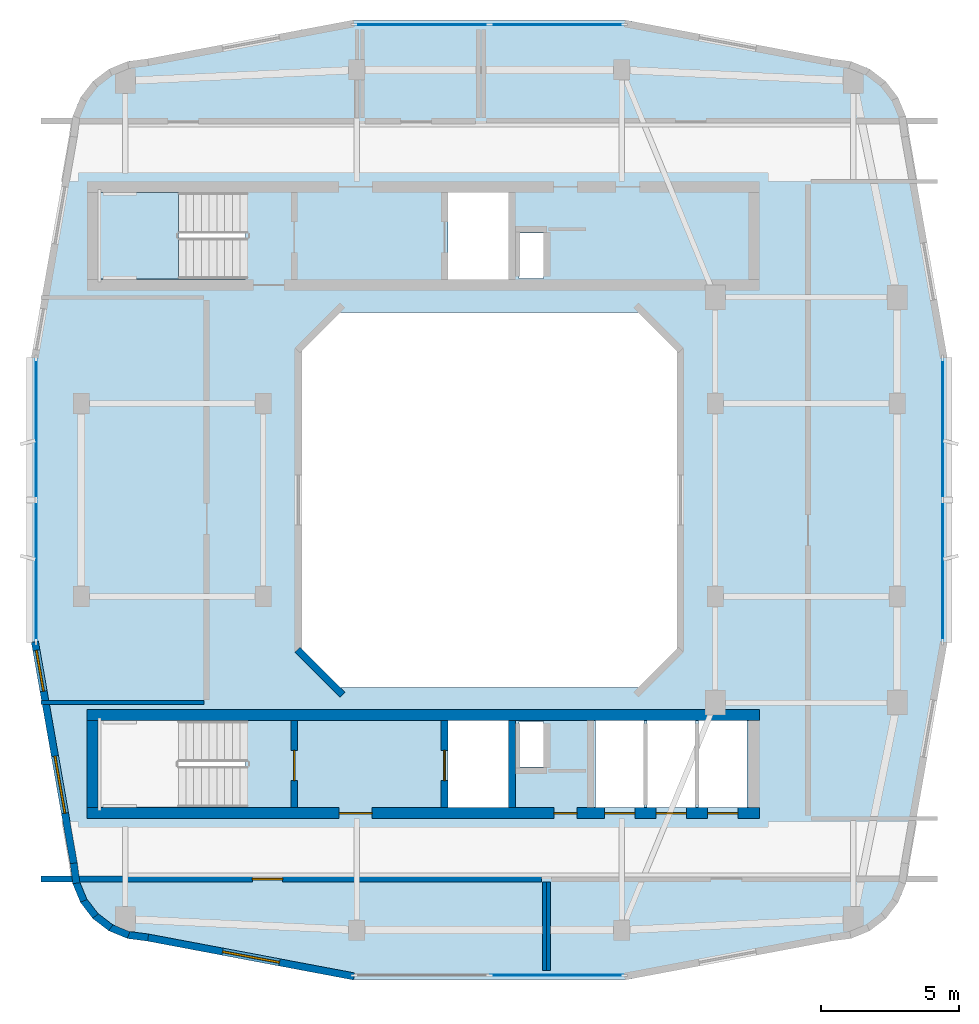
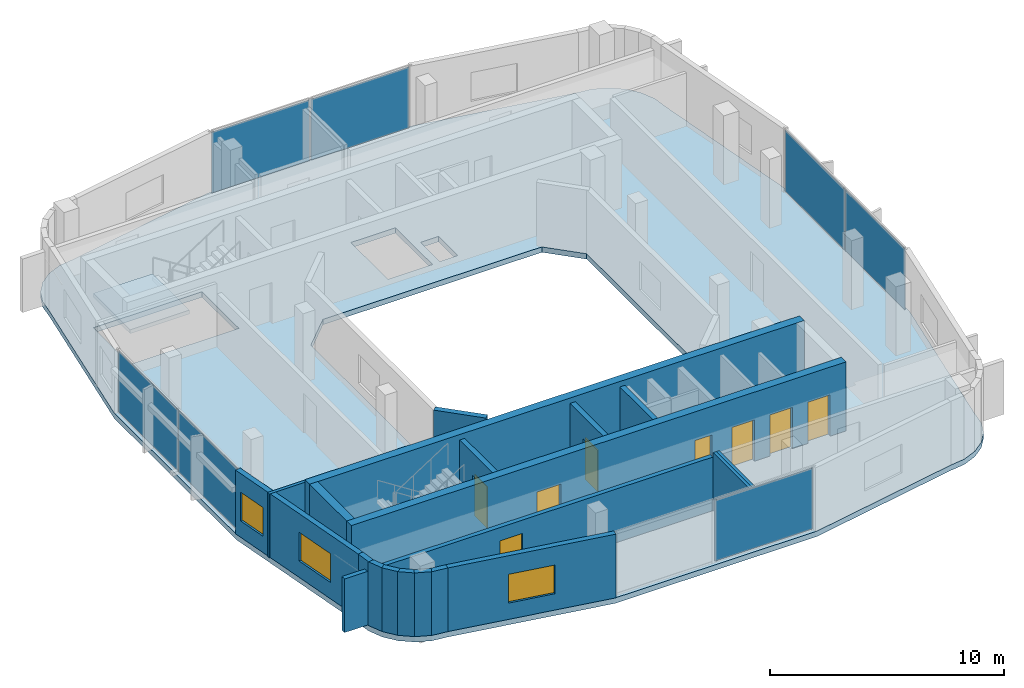
# One storey, part 3 of 8: 19 walls, 8 doors, 7 plates, 3 windows, 2 slabs, 11 openings, 5 elements without a shape of their own.
"""IFC4 building model written with IfcOpenShell, lengths in metres."""

import ifcopenshell
import ifcopenshell.guid

model = None  # the IFC model being written
_history = None  # IfcOwnerHistory: only IFC2X3 demands one
_inside = {}  # id of a spatial element -> (the spatial element, [elements in it])
_under = {}  # id of a project, library or spatial element -> (it, [spatial elements below it])
_declared = {}  # id of a project -> (the project, [libraries it declares])
_typed = {}  # id of a type object -> (the type object, [elements of that type])
_made_of = {}  # id of a material, layer set ... -> (it, [elements and type objects made of it])


def new_model(schema):
    """Start an empty IFC model of exactly this schema.

    Asked for "IFC4X3", IfcOpenShell would pick the latest addendum, in which some entities
    have other attributes; the version numbers below select the first issue.
    IFC2X3 requires an IfcOwnerHistory on every rooted entity: one is made here for all.
    """
    global model, _history
    if schema == "IFC4X3":
        model = ifcopenshell.file(schema_version=(4, 3, 0, 0))
    else:
        model = ifcopenshell.file(schema=schema)
    _inside.clear()
    _under.clear()
    _declared.clear()
    _typed.clear()
    _made_of.clear()
    _history = None
    if model.schema == "IFC2X3":
        org = make("IfcOrganization", Name="unknown")
        user = make(
            "IfcPersonAndOrganization",
            ThePerson=make("IfcPerson", FamilyName="unknown"),
            TheOrganization=org,
        )
        app = make(
            "IfcApplication",
            ApplicationDeveloper=org,
            Version="unknown",
            ApplicationFullName="unknown",
            ApplicationIdentifier="unknown",
        )
        _history = make(
            "IfcOwnerHistory",
            OwningUser=user,
            OwningApplication=app,
            ChangeAction="ADDED",
            CreationDate=0,
        )
    return model


def make(cls, **values):
    """One entity of the class cls with the attributes given. An attribute that is None is left unset."""
    return model.create_entity(
        cls, **{name: value for name, value in values.items() if value is not None}
    )


def rooted(cls, **values):
    """An entity with a GlobalId (a new one), such as an element, a storey or a relation."""
    return make(cls, GlobalId=ifcopenshell.guid.new(), OwnerHistory=_history, **values)


def si_unit(unit_type, name, prefix=None):
    """IfcSIUnit, for example si_unit("LENGTHUNIT", "METRE", prefix="MILLI")."""
    return make("IfcSIUnit", UnitType=unit_type, Prefix=prefix, Name=name)


def derived_unit(unit_type, elements):
    """IfcDerivedUnit: a product of units, each with its exponent."""
    return make(
        "IfcDerivedUnit",
        Elements=[
            make("IfcDerivedUnitElement", Unit=unit, Exponent=power)
            for unit, power in elements
        ],
        UnitType=unit_type,
    )


def assignment(units):
    """IfcUnitAssignment: the units of a project."""
    return None if units is None else make("IfcUnitAssignment", Units=units)


def point(xyz):
    """IfcCartesianPoint."""
    return None if xyz is None else make("IfcCartesianPoint", Coordinates=xyz)


def direction(xyz):
    """IfcDirection."""
    return None if xyz is None else make("IfcDirection", DirectionRatios=xyz)


def frame(location, z_axis=None, x_axis=None):
    """IfcAxis2Placement3D, a coordinate frame: its origin and axes. An axis left out is left unset."""
    return make(
        "IfcAxis2Placement3D",
        Location=point(location),
        Axis=direction(z_axis),
        RefDirection=direction(x_axis),
    )


def frame_2d(location, x_axis=None):
    """IfcAxis2Placement2D, a coordinate frame in the plane: its origin and x axis."""
    return make(
        "IfcAxis2Placement2D", Location=point(location), RefDirection=direction(x_axis)
    )


def origin():
    """The frame at (0, 0, 0) with its axes left unset."""
    return frame((0.0, 0.0, 0.0))


def origin_2d():
    """The frame at (0, 0) in the plane with its x axis left unset."""
    return frame_2d((0.0, 0.0))


def place(relative_to, where):
    """IfcLocalPlacement: puts the frame where relative to a parent placement (None: the world)."""
    return make(
        "IfcLocalPlacement", PlacementRelTo=relative_to, RelativePlacement=where
    )


def context(
    kind, dimensions, precision=None, world=None, true_north=None, identifier=None
):
    """IfcGeometricRepresentationContext, for example the 3D "Model" context."""
    return make(
        "IfcGeometricRepresentationContext",
        ContextIdentifier=identifier,
        ContextType=kind,
        CoordinateSpaceDimension=dimensions,
        Precision=precision,
        WorldCoordinateSystem=world,
        TrueNorth=true_north,
    )


def subcontext(parent, identifier, kind, view, scale=None):
    """IfcGeometricRepresentationSubContext, for example "Body" below "Model"."""
    return make(
        "IfcGeometricRepresentationSubContext",
        ContextIdentifier=identifier,
        ContextType=kind,
        ParentContext=parent,
        TargetScale=scale,
        TargetView=view,
    )


def project(units=None, contexts=None):
    """IfcProject with its units and contexts."""
    return rooted(
        "IfcProject",
        Name="project",
        RepresentationContexts=contexts,
        UnitsInContext=assignment(units),
    )


def spatial(cls, under=None, at=None, **own):
    """A site, building, storey or space (cls), placed at a placement, below another one or the project."""
    s = rooted(cls, ObjectPlacement=at, **own)
    if under is not None:
        _under.setdefault(under.id(), (under, []))[1].append(s)
    return s


def polyline(points):
    """IfcPolyline through the points."""
    return make("IfcPolyline", Points=[point(p) for p in points])


def profile(cls, at=None, kind="AREA", **sizes):
    """A parametric profile (cls). Its sizes go by their IFC names, for example OverallWidth=200.0."""
    return make(cls, ProfileType=kind, Position=at, **sizes)


def rectangle(**sizes):
    """IfcRectangleProfileDef."""
    return profile("IfcRectangleProfileDef", **sizes)


def outline(outer, holes=None, kind="AREA"):
    """IfcArbitraryClosedProfileDef: a profile drawn as a closed curve; with holes, ...WithVoids."""
    if holes is None:
        return make("IfcArbitraryClosedProfileDef", ProfileType=kind, OuterCurve=outer)
    return make(
        "IfcArbitraryProfileDefWithVoids",
        ProfileType=kind,
        OuterCurve=outer,
        InnerCurves=holes,
    )


def extrude(swept, where, along, depth):
    """IfcExtrudedAreaSolid: the profile swept, set in the frame where, extruded along a direction by depth."""
    return make(
        "IfcExtrudedAreaSolid",
        SweptArea=swept,
        Position=where,
        ExtrudedDirection=direction(along),
        Depth=depth,
    )


def shape(context_of_items, identifier, shape_type, items):
    """IfcShapeRepresentation: the items that make up one representation, for example the "Body"."""
    return make(
        "IfcShapeRepresentation",
        ContextOfItems=context_of_items,
        RepresentationIdentifier=identifier,
        RepresentationType=shape_type,
        Items=items,
    )


def material(Name=None, Category=None):
    """IfcMaterial."""
    return make("IfcMaterial", Name=Name, Category=Category)


def layer(
    of_material, thickness, ventilated=None, Name=None, Category=None, Priority=None
):
    """IfcMaterialLayer: one layer of a wall or slab, of a material (None: an air gap)."""
    return make(
        "IfcMaterialLayer",
        Material=of_material,
        LayerThickness=thickness,
        IsVentilated=ventilated,
        Name=Name,
        Category=Category,
        Priority=Priority,
    )


def layer_set(layers, Name=None):
    """IfcMaterialLayerSet."""
    return make("IfcMaterialLayerSet", MaterialLayers=layers, LayerSetName=Name)


def made_of(thing, what):
    """Note that an element or type object is made of a material, layer set ...; save() writes the relation."""
    if what is not None:
        _made_of.setdefault(what.id(), (what, []))[1].append(thing)
    return thing


def type_object(cls, material=None, **own):
    """A type object (cls), such as IfcWallType, which elements share."""
    return made_of(rooted(cls, **own), material)


def element(
    cls,
    number,
    at=None,
    inside=None,
    cuts=None,
    type_object=None,
    material=None,
    context=None,
    identifier="Body",
    shape_type=None,
    held_by="IfcProductDefinitionShape",
    body=None,
    shapes=None,
    **own,
):
    """One element of the class cls, such as IfcWall. Its Tag is "e" and its number.

    at: its placement. inside: the storey or other place that contains it. cuts: it is an
    opening in that element (IfcRelVoidsElement). A single representation is given by context,
    identifier, shape_type and body (its items); several are given by shapes. held_by: the class
    of the entity that holds the representations. save() writes the other relations.
    """
    e = rooted(cls, Tag="e%d" % number, ObjectPlacement=at, **own)
    if body is not None:
        shapes = [shape(context, identifier, shape_type, body)]
    if shapes is not None:
        e.Representation = make(held_by, Representations=shapes)
    if inside is not None:
        _inside.setdefault(inside.id(), (inside, []))[1].append(e)
    if cuts is not None:
        rooted(
            "IfcRelVoidsElement", RelatingBuildingElement=cuts, RelatedOpeningElement=e
        )
    if type_object is not None:
        _typed.setdefault(type_object.id(), (type_object, []))[1].append(e)
    return made_of(e, material)


def fill(opening, filler):
    """IfcRelFillsElement: the door or window that sits in an opening."""
    return rooted(
        "IfcRelFillsElement",
        RelatingOpeningElement=opening,
        RelatedBuildingElement=filler,
    )


def aggregate(whole, parts):
    """IfcRelAggregates: a whole, such as a stair, and the parts it consists of."""
    return rooted("IfcRelAggregates", RelatingObject=whole, RelatedObjects=parts)


def save(model, path):
    """Write the relations noted so far, then the file.

    IfcRelAggregates (storeys below a building ...), IfcRelContainedInSpatialStructure (elements
    in a storey), IfcRelDefinesByType, IfcRelAssociatesMaterial and IfcRelDeclares: one each for
    every whole, place, type object, material and project.
    """
    for whole, parts in _under.values():
        aggregate(whole, parts)
    for where, things in _inside.values():
        rooted(
            "IfcRelContainedInSpatialStructure",
            RelatedElements=things,
            RelatingStructure=where,
        )
    for kind, things in _typed.values():
        rooted("IfcRelDefinesByType", RelatedObjects=things, RelatingType=kind)
    for what, things in _made_of.values():
        rooted("IfcRelAssociatesMaterial", RelatedObjects=things, RelatingMaterial=what)
    for by, libraries in _declared.values():
        rooted("IfcRelDeclares", RelatingContext=by, RelatedDefinitions=libraries)
    model.write(path)


model = new_model("IFC4")

# Units and contexts
model_context = context("Model", 3, precision=1e-05, world=origin(), true_north=direction((0.0, 1.0)))
body_context = subcontext(model_context, "Body", "Model", "MODEL_VIEW")
ifc_project = project(units=[si_unit("LENGTHUNIT", "METRE"), si_unit("AREAUNIT", "SQUARE_METRE"), si_unit("VOLUMEUNIT", "CUBIC_METRE"), si_unit("PLANEANGLEUNIT", "RADIAN"), si_unit("MASSUNIT", "GRAM", prefix="KILO"), derived_unit("THERMALTRANSMITTANCEUNIT", [(si_unit("POWERUNIT", "WATT"), 1), (si_unit("LENGTHUNIT", "METRE"), -2), (si_unit("THERMODYNAMICTEMPERATUREUNIT", "KELVIN"), -1)])], contexts=[model_context])

# Site, building, storey
site_placement = place(None, origin())
site = spatial("IfcSite", under=ifc_project, at=site_placement, CompositionType="ELEMENT")
building_placement = place(site_placement, origin())
building = spatial("IfcBuilding", under=site, at=building_placement, Name="Kivonza Crest Hotel", CompositionType="ELEMENT")
storey_placement = place(building_placement, frame((0.0, 0.0, 268.39990234375)))
storey = spatial("IfcBuildingStorey", under=building, at=storey_placement, Name="L73", CompositionType="ELEMENT", Elevation=268.39990234375)

# Curtain wall, plate
ifc_material_1 = material(Name="Anodised bronze aluminium and low-E double glazing", Category="aluminium")
ifc_layer_1 = layer(ifc_material_1, 0.199951171875)
ifc_layer_set_1 = layer_set([ifc_layer_1], Name="Anodised bronze aluminium and low-E double glazing")
curtain_wall_type = type_object("IfcCurtainWallType", Name="CW-SYS-6", PredefinedType="NOTDEFINED", material=ifc_layer_set_1)
curtain_wall_1_placement = place(storey_placement, origin())
curtain_wall_1 = element("IfcCurtainWall", 1, at=curtain_wall_1_placement, inside=storey, type_object=curtain_wall_type, Name="L73 unitised curtain wall CW-T1-L73-08", PredefinedType="NOTDEFINED")
ifc_material_2 = material(Name="Acoustic triple-laminated low-E glazing", Category="glass")
ifc_layer_2 = layer(ifc_material_2, 0.035888671875)
ifc_layer_set_2 = layer_set([ifc_layer_2], Name="Acoustic triple-laminated low-E glazing")
plate_type = type_object("IfcPlateType", Name="CW-PNL-36", PredefinedType="CURTAIN_PANEL", material=ifc_layer_set_2)
plate_1_placement = place(storey_placement, frame((23.451171875, 7.760009765625, 0.0751953125), z_axis=(0.0, 0.0, 1.0), x_axis=(1.0, 0.0, 0.0)))
plate_1 = element("IfcPlate", 2, at=plate_1_placement, type_object=plate_type, Name="CW-6 panel 2.1", PredefinedType="CURTAIN_PANEL", context=body_context, shape_type="SweptSolid", body=[
    extrude(rectangle(XDim=4.827392578125, YDim=0.035888671875, at=origin_2d()), origin(), (0.0, 0.0, 1.0), 3.169921875),
])
aggregate(curtain_wall_1, [plate_1])

# Curtain wall, plates
curtain_wall_2_placement = place(storey_placement, origin())
curtain_wall_2 = element("IfcCurtainWall", 3, at=curtain_wall_2_placement, inside=storey, type_object=curtain_wall_type, Name="L73 unitised curtain wall CW-T1-L73-17", PredefinedType="NOTDEFINED")
plate_2_placement = place(storey_placement, frame((37.43994140625, 22.4287109375, 0.0751953125), z_axis=(0.0, 0.0, 1.0), x_axis=(0.0, 1.0, 0.0)))
plate_2 = element("IfcPlate", 4, at=plate_2_placement, type_object=plate_type, Name="CW-6 panel 1.1", PredefinedType="CURTAIN_PANEL", context=body_context, shape_type="SweptSolid", body=[
    extrude(rectangle(XDim=5.0673828125, YDim=0.035888671875, at=origin_2d()), origin(), (0.0, 0.0, 1.0), 3.169921875),
])
plate_3_placement = place(storey_placement, frame((37.43994140625, 27.5712890625, 0.0751953125), z_axis=(0.0, 0.0, 1.0), x_axis=(0.0, 1.0, 0.0)))
plate_3 = element("IfcPlate", 5, at=plate_3_placement, type_object=plate_type, Name="CW-6 panel 2.1", PredefinedType="CURTAIN_PANEL", context=body_context, shape_type="SweptSolid", body=[
    extrude(rectangle(XDim=5.0673828125, YDim=0.035888671875, at=origin_2d()), origin(), (0.0, 0.0, 1.0), 3.169921875),
])
aggregate(curtain_wall_2, [plate_2, plate_3])

curtain_wall_3_placement = place(storey_placement, origin())
curtain_wall_3 = element("IfcCurtainWall", 6, at=curtain_wall_3_placement, inside=storey, type_object=curtain_wall_type, Name="L73 unitised curtain wall CW-T1-L73-26", PredefinedType="NOTDEFINED")
plate_4_placement = place(storey_placement, frame((23.451171875, 42.239990234375, 0.0751953125), z_axis=(0.0, 0.0, 1.0), x_axis=(-1.0, 0.0, 0.0)))
plate_4 = element("IfcPlate", 7, at=plate_4_placement, type_object=plate_type, Name="CW-6 panel 1.1", PredefinedType="CURTAIN_PANEL", context=body_context, shape_type="SweptSolid", body=[
    extrude(rectangle(XDim=4.827392578125, YDim=0.035888671875, at=origin_2d()), origin(), (0.0, 0.0, 1.0), 3.169921875),
])
plate_5_placement = place(storey_placement, frame((18.548828125, 42.239990234375, 0.0751953125), z_axis=(0.0, 0.0, 1.0), x_axis=(-1.0, 0.0, 0.0)))
plate_5 = element("IfcPlate", 8, at=plate_5_placement, type_object=plate_type, Name="CW-6 panel 2.1", PredefinedType="CURTAIN_PANEL", context=body_context, shape_type="SweptSolid", body=[
    extrude(rectangle(XDim=4.827392578125, YDim=0.035888671875, at=origin_2d()), origin(), (0.0, 0.0, 1.0), 3.169921875),
])
aggregate(curtain_wall_3, [plate_4, plate_5])

curtain_wall_4_placement = place(storey_placement, origin())
curtain_wall_4 = element("IfcCurtainWall", 9, at=curtain_wall_4_placement, inside=storey, type_object=curtain_wall_type, Name="L73 unitised curtain wall CW-T1-L73-35", PredefinedType="NOTDEFINED")
plate_6_placement = place(storey_placement, frame((4.56005859375, 27.5712890625, 0.0751953125), z_axis=(0.0, 0.0, 1.0), x_axis=(0.0, -1.0, 0.0)))
plate_6 = element("IfcPlate", 10, at=plate_6_placement, type_object=plate_type, Name="CW-6 panel 1.1", PredefinedType="CURTAIN_PANEL", context=body_context, shape_type="SweptSolid", body=[
    extrude(rectangle(XDim=5.0673828125, YDim=0.035888671875, at=origin_2d()), origin(), (0.0, 0.0, 1.0), 3.169921875),
])
plate_7_placement = place(storey_placement, frame((4.56005859375, 22.4287109375, 0.0751953125), z_axis=(0.0, 0.0, 1.0), x_axis=(0.0, -1.0, 0.0)))
plate_7 = element("IfcPlate", 11, at=plate_7_placement, type_object=plate_type, Name="CW-6 panel 2.1", PredefinedType="CURTAIN_PANEL", context=body_context, shape_type="SweptSolid", body=[
    extrude(rectangle(XDim=5.0673828125, YDim=0.035888671875, at=origin_2d()), origin(), (0.0, 0.0, 1.0), 3.169921875),
])
aggregate(curtain_wall_4, [plate_6, plate_7])

# Slab
ifc_material_3 = material(Name="Concrete C40/50", Category="concrete")
ifc_layer_3 = layer(ifc_material_3, 0.280029296875)
ifc_layer_set_3 = layer_set([ifc_layer_3], Name="Concrete C40/50")
slab_type_1 = type_object("IfcSlabType", Name="SL-HTL-280", PredefinedType="FLOOR", material=ifc_layer_set_3)
slab_1_placement = place(storey_placement, frame((0.0, 0.0, -0.27978515625)))
element("IfcSlab", 12, at=slab_1_placement, inside=storey, type_object=slab_type_1, Name="Tower T1 L73 floor slab", PredefinedType="FLOOR", context=body_context, shape_type="SweptSolid", body=[
    extrude(outline(polyline([(5.800048828125, 11.800048828125), (5.89501953125, 11.074951171875), (6.175048828125, 10.39990234375), (6.6201171875, 9.820068359375), (7.199951171875, 9.375), (7.875, 9.094970703125), (8.60009765625, 9.0), (16.02001953125, 7.60009765625), (25.97998046875, 7.60009765625), (33.39990234375, 9.0), (34.125, 9.094970703125), (34.800048828125, 9.375), (35.3798828125, 9.820068359375), (35.824951171875, 10.39990234375), (36.10498046875, 11.074951171875), (36.199951171875, 11.800048828125), (37.60009765625, 19.780029296875), (37.60009765625, 30.219970703125), (36.199951171875, 38.199951171875), (36.10498046875, 38.925048828125), (35.824951171875, 39.60009765625), (35.3798828125, 40.179931640625), (34.800048828125, 40.625), (34.125, 40.905029296875), (33.39990234375, 41.0), (25.97998046875, 42.39990234375), (16.02001953125, 42.39990234375), (8.60009765625, 41.0), (7.875, 40.905029296875), (7.199951171875, 40.625), (6.6201171875, 40.179931640625), (6.175048828125, 39.60009765625), (5.89501953125, 38.925048828125), (5.800048828125, 38.199951171875), (4.39990234375, 30.219970703125), (4.39990234375, 19.780029296875), (5.800048828125, 11.800048828125)]), holes=[polyline([(15.60009765625, 18.199951171875), (26.39990234375, 18.199951171875), (27.800048828125, 19.60009765625), (27.800048828125, 30.39990234375), (26.39990234375, 31.800048828125), (15.60009765625, 31.800048828125), (14.199951171875, 30.39990234375), (14.199951171875, 19.60009765625), (15.60009765625, 18.199951171875)]), polyline([(6.800048828125, 33.02001953125), (12.159912109375, 33.02001953125), (12.159912109375, 36.159912109375), (6.800048828125, 36.159912109375), (6.800048828125, 33.02001953125)]), polyline([(6.800048828125, 13.860107421875), (12.159912109375, 13.860107421875), (12.159912109375, 17.0), (6.800048828125, 17.0), (6.800048828125, 13.860107421875)]), polyline([(22.080078125, 33.0400390625), (22.969970703125, 33.0400390625), (22.969970703125, 34.679931640625), (22.080078125, 34.679931640625), (22.080078125, 33.0400390625)]), polyline([(22.080078125, 15.320068359375), (22.969970703125, 15.320068359375), (22.969970703125, 16.9599609375), (22.080078125, 16.9599609375), (22.080078125, 15.320068359375)]), polyline([(19.5, 33.0), (21.699951171875, 33.0), (21.699951171875, 36.159912109375), (19.5, 36.159912109375), (19.5, 33.0)]), polyline([(19.5, 13.840087890625), (21.699951171875, 13.840087890625), (21.699951171875, 17.0), (19.5, 17.0), (19.5, 13.840087890625)]), polyline([(24.860107421875, 13.840087890625), (26.60693359375, 13.840087890625), (26.60693359375, 17.0), (24.860107421875, 17.0), (24.860107421875, 13.840087890625)]), polyline([(26.72705078125, 13.840087890625), (28.472900390625, 13.840087890625), (28.472900390625, 17.0), (26.72705078125, 17.0), (26.72705078125, 13.840087890625)]), polyline([(28.593017578125, 13.840087890625), (30.340087890625, 13.840087890625), (30.340087890625, 17.0), (28.593017578125, 17.0), (28.593017578125, 13.840087890625)])]), origin(), (0.0, 0.0, 1.0), 0.27978515625),
])

# Stair, slab
stair_type = type_object("IfcStairType", Name="ST-DL-20R", PredefinedType="HALF_TURN_STAIR", material=ifc_material_3)
stair_placement = place(storey_placement, origin())
stair = element("IfcStair", 13, at=stair_placement, inside=storey, type_object=stair_type, Name="L73 Protected Exit Stair ST-T1-N", PredefinedType="HALF_TURN_STAIR")
ifc_layer_4 = layer(ifc_material_3, 0.199951171875)
ifc_layer_set_4 = layer_set([ifc_layer_4], Name="Concrete C40/50")
slab_type_2 = type_object("IfcSlabType", Name="SL-LAND-200", PredefinedType="LANDING", material=ifc_layer_set_4)
slab_2_placement = place(storey_placement, frame((0.0, 0.0, 1.60009765625)))
slab_2 = element("IfcSlab", 14, at=slab_2_placement, type_object=slab_type_2, Name="ST-T1-N landing 1", PredefinedType="LANDING", context=body_context, shape_type="SweptSolid", body=[
    extrude(outline(polyline([(9.719970703125, 36.159912109375), (6.800048828125, 36.159912109375), (6.800048828125, 33.02001953125), (9.719970703125, 33.02001953125), (9.719970703125, 36.159912109375)])), origin(), (0.0, 0.0, 1.0), 0.199951171875),
])
aggregate(stair, [slab_2])

# Wall, opening, door
ifc_material_4 = material(Name="Autoclaved aerated concrete blockwork", Category="masonry")
ifc_layer_5 = layer(ifc_material_4, 0.219970703125)
ifc_layer_set_5 = layer_set([ifc_layer_5], Name="Autoclaved aerated concrete blockwork")
wall_type_1 = type_object("IfcWallType", Name="WL-ACOU-220", PredefinedType="SOLIDWALL", material=ifc_layer_set_5)
wall_1_placement = place(storey_placement, frame((4.739990234375, 11.25, 0.0), z_axis=(0.0, 0.0, 1.0), x_axis=(1.0, 0.0, 0.0)))
wall_1 = element("IfcWall", 15, at=wall_1_placement, inside=storey, type_object=wall_type_1, Name="L73 interior partition WA-L73-SGAL-N", PredefinedType="SOLIDWALL", context=body_context, shape_type="SweptSolid", body=[
    extrude(rectangle(XDim=18.159912109375, YDim=0.219970703125, at=frame_2d((9.080078125, 0.0))), origin(), (0.0, 0.0, 1.0), 2.795166015625),
])
opening_1_placement = place(wall_1_placement, frame((7.6669921875, 0.0, 0.0)))
opening_1 = element("IfcOpeningElement", 16, at=opening_1_placement, cuts=wall_1, Name="Opening DF-60M", PredefinedType="OPENING", context=body_context, shape_type="SweptSolid", body=[
    extrude(rectangle(XDim=1.10009765625, YDim=2.10009765625, at=frame_2d((0.550048828125, 1.050048828125))), frame((0.0, 0.1201171875, 0.0), z_axis=(0.0, -1.0, 0.0), x_axis=(1.0, 0.0, 0.0)), (0.0, 0.0, 1.0), 0.239990234375),
])
ifc_material_5 = material(Name="Hardwood timber oak", Category="wood")
door_type_1 = type_object("IfcDoorType", Name="DR-FD60-1100", OperationType="NOTDEFINED", PredefinedType="DOOR", material=ifc_material_5)
door_1_placement = place(opening_1_placement, frame((1.10009765625, 0.0, 0.0), z_axis=(0.0, 0.0, 1.0), x_axis=(-1.0, 0.0, 0.0)))
door_1 = element("IfcDoor", 17, at=door_1_placement, inside=storey, type_object=door_type_1, Name="L73 South Rift Valley Viewing Salon door", OperationType="SINGLE_SWING_RIGHT", OverallHeight=2.10009765625, OverallWidth=1.10009765625, PredefinedType="DOOR", context=body_context, shape_type="SweptSolid", body=[
    extrude(rectangle(XDim=1.10009765625, YDim=2.10009765625, at=frame_2d((0.550048828125, 1.050048828125))), frame((0.0, 0.02490234375, 0.0), z_axis=(0.0, -1.0, 0.0), x_axis=(1.0, 0.0, 0.0)), (0.0, 0.0, 1.0), 0.050048828125),
])
fill(opening_1, door_1)

# Wall, openings, doors
ifc_material_6 = material(Name="Concrete C50/60", Category="concrete")
ifc_layer_6 = layer(ifc_material_6, 0.39990234375)
ifc_layer_set_6 = layer_set([ifc_layer_6], Name="Concrete C50/60")
wall_type_2 = type_object("IfcWallType", Name="WL-CORE-400", PredefinedType="SHEAR", material=ifc_layer_set_6)
wall_2_placement = place(storey_placement, frame((6.39990234375, 13.639892578125, 0.0), z_axis=(0.0, 0.0, 1.0), x_axis=(1.0, 0.0, 0.0)))
wall_2 = element("IfcWall", 18, at=wall_2_placement, inside=storey, type_object=wall_type_2, Name="Core wall T1-S South L73", PredefinedType="SHEAR", context=body_context, shape_type="SweptSolid", body=[
    extrude(rectangle(XDim=24.400146484375, YDim=0.39990234375, at=frame_2d((12.2001953125, 0.0))), origin(), (0.0, 0.0, 1.0), 3.60009765625),
])
opening_2_placement = place(wall_2_placement, frame((9.14990234375, 0.0, 0.0)))
opening_2 = element("IfcOpeningElement", 19, at=opening_2_placement, cuts=wall_2, Name="Opening DF-60", PredefinedType="OPENING", context=body_context, shape_type="SweptSolid", body=[
    extrude(rectangle(XDim=1.199951171875, YDim=2.14990234375, at=frame_2d((0.60009765625, 1.074951171875))), frame((0.0, 0.2099609375, 0.0), z_axis=(0.0, -1.0, 0.0), x_axis=(1.0, 0.0, 0.0)), (0.0, 0.0, 1.0), 0.419921875),
])
opening_3_placement = place(wall_2_placement, frame((16.93994140625, 0.0, 0.0)))
opening_3 = element("IfcOpeningElement", 20, at=opening_3_placement, cuts=wall_2, Name="Opening DF-60R", PredefinedType="OPENING", context=body_context, shape_type="SweptSolid", body=[
    extrude(rectangle(XDim=0.85009765625, YDim=2.10009765625, at=frame_2d((0.425048828125, 1.050048828125))), frame((0.0, 0.2099609375, 0.0), z_axis=(0.0, -1.0, 0.0), x_axis=(1.0, 0.0, 0.0)), (0.0, 0.0, 1.0), 0.419921875),
])
opening_4_placement = place(wall_2_placement, frame((18.782958984375, 0.0, 0.0)))
opening_4 = element("IfcOpeningElement", 21, at=opening_4_placement, cuts=wall_2, Name="Opening LD-120", PredefinedType="OPENING", context=body_context, shape_type="SweptSolid", body=[
    extrude(rectangle(XDim=1.10009765625, YDim=2.14990234375, at=frame_2d((0.550048828125, 1.074951171875))), frame((0.0, 0.2099609375, 0.0), z_axis=(0.0, -1.0, 0.0), x_axis=(1.0, 0.0, 0.0)), (0.0, 0.0, 1.0), 0.419921875),
])
opening_5_placement = place(wall_2_placement, frame((20.64990234375, 0.0, 0.0)))
opening_5 = element("IfcOpeningElement", 22, at=opening_5_placement, cuts=wall_2, Name="Opening LD-120", PredefinedType="OPENING", context=body_context, shape_type="SweptSolid", body=[
    extrude(rectangle(XDim=1.10009765625, YDim=2.14990234375, at=frame_2d((0.550048828125, 1.074951171875))), frame((0.0, 0.2099609375, 0.0), z_axis=(0.0, -1.0, 0.0), x_axis=(1.0, 0.0, 0.0)), (0.0, 0.0, 1.0), 0.419921875),
])
opening_6_placement = place(wall_2_placement, frame((22.51708984375, 0.0, 0.0)))
opening_6 = element("IfcOpeningElement", 23, at=opening_6_placement, cuts=wall_2, Name="Opening LD-120", PredefinedType="OPENING", context=body_context, shape_type="SweptSolid", body=[
    extrude(rectangle(XDim=1.10009765625, YDim=2.14990234375, at=frame_2d((0.550048828125, 1.074951171875))), frame((0.0, 0.2099609375, 0.0), z_axis=(0.0, -1.0, 0.0), x_axis=(1.0, 0.0, 0.0)), (0.0, 0.0, 1.0), 0.419921875),
])
door_type_2 = type_object("IfcDoorType", Name="DR-FD60-1200", OperationType="NOTDEFINED", PredefinedType="DOOR", material=ifc_material_5)
door_2_placement = place(opening_2_placement, frame((1.199951171875, 0.0, 0.0), z_axis=(0.0, 0.0, 1.0), x_axis=(-1.0, 0.0, 0.0)))
door_2 = element("IfcDoor", 24, at=door_2_placement, inside=storey, type_object=door_type_2, Name="L73 T1-S firefighting lobby fire door", OperationType="SINGLE_SWING_LEFT", OverallHeight=2.14990234375, OverallWidth=1.199951171875, PredefinedType="DOOR", context=body_context, shape_type="SweptSolid", body=[
    extrude(rectangle(XDim=1.199951171875, YDim=2.14990234375, at=frame_2d((0.60009765625, 1.074951171875))), frame((0.0, 0.02490234375, 0.0), z_axis=(0.0, -1.0, 0.0), x_axis=(1.0, 0.0, 0.0)), (0.0, 0.0, 1.0), 0.050048828125),
])
fill(opening_2, door_2)
door_type_3 = type_object("IfcDoorType", Name="DR-FD60-850", OperationType="NOTDEFINED", PredefinedType="DOOR", material=ifc_material_5)
door_3_placement = place(opening_3_placement, frame((0.85009765625, 0.0, 0.0), z_axis=(0.0, 0.0, 1.0), x_axis=(-1.0, 0.0, 0.0)))
door_3 = element("IfcDoor", 25, at=door_3_placement, inside=storey, type_object=door_type_3, Name="L73 T1-S core room door", OperationType="SINGLE_SWING_RIGHT", OverallHeight=2.10009765625, OverallWidth=0.85009765625, PredefinedType="DOOR", context=body_context, shape_type="SweptSolid", body=[
    extrude(rectangle(XDim=0.85009765625, YDim=2.10009765625, at=frame_2d((0.425048828125, 1.050048828125))), frame((0.0, 0.02490234375, 0.0), z_axis=(0.0, -1.0, 0.0), x_axis=(1.0, 0.0, 0.0)), (0.0, 0.0, 1.0), 0.050048828125),
])
fill(opening_3, door_3)
ifc_material_7 = material(Name="Stainless steel", Category="steel")
door_type_4 = type_object("IfcDoorType", Name="DR-LD120-1100", OperationType="NOTDEFINED", PredefinedType="DOOR", material=ifc_material_7)
door_4_placement = place(opening_4_placement, frame((1.10009765625, 0.0, 0.0), z_axis=(0.0, 0.0, 1.0), x_axis=(-1.0, 0.0, 0.0)))
door_4 = element("IfcDoor", 26, at=door_4_placement, inside=storey, type_object=door_type_4, Name="L73 PL-T1-H1 passenger lift sliding landing door", OperationType="DOUBLE_DOOR_SLIDING", OverallHeight=2.14990234375, OverallWidth=1.10009765625, PredefinedType="DOOR", context=body_context, shape_type="SweptSolid", body=[
    extrude(rectangle(XDim=1.10009765625, YDim=2.14990234375, at=frame_2d((0.550048828125, 1.074951171875))), frame((0.0, 0.02490234375, 0.0), z_axis=(0.0, -1.0, 0.0), x_axis=(1.0, 0.0, 0.0)), (0.0, 0.0, 1.0), 0.050048828125),
])
fill(opening_4, door_4)
door_5_placement = place(opening_5_placement, frame((1.10009765625, 0.0, 0.0), z_axis=(0.0, 0.0, 1.0), x_axis=(-1.0, 0.0, 0.0)))
door_5 = element("IfcDoor", 27, at=door_5_placement, inside=storey, type_object=door_type_4, Name="L73 PL-T1-H2 passenger lift sliding landing door", OperationType="DOUBLE_DOOR_SLIDING", OverallHeight=2.14990234375, OverallWidth=1.10009765625, PredefinedType="DOOR", context=body_context, shape_type="SweptSolid", body=[
    extrude(rectangle(XDim=1.10009765625, YDim=2.14990234375, at=frame_2d((0.550048828125, 1.074951171875))), frame((0.0, 0.02490234375, 0.0), z_axis=(0.0, -1.0, 0.0), x_axis=(1.0, 0.0, 0.0)), (0.0, 0.0, 1.0), 0.050048828125),
])
fill(opening_5, door_5)
door_6_placement = place(opening_6_placement, frame((1.10009765625, 0.0, 0.0), z_axis=(0.0, 0.0, 1.0), x_axis=(-1.0, 0.0, 0.0)))
door_6 = element("IfcDoor", 28, at=door_6_placement, inside=storey, type_object=door_type_4, Name="L73 PL-T1-H3 passenger lift sliding landing door", OperationType="DOUBLE_DOOR_SLIDING", OverallHeight=2.14990234375, OverallWidth=1.10009765625, PredefinedType="DOOR", context=body_context, shape_type="SweptSolid", body=[
    extrude(rectangle(XDim=1.10009765625, YDim=2.14990234375, at=frame_2d((0.550048828125, 1.074951171875))), frame((0.0, 0.02490234375, 0.0), z_axis=(0.0, -1.0, 0.0), x_axis=(1.0, 0.0, 0.0)), (0.0, 0.0, 1.0), 0.050048828125),
])
fill(opening_6, door_6)

# Walls
wall_3_placement = place(storey_placement, frame((6.39990234375, 17.199951171875, 0.0), z_axis=(0.0, 0.0, 1.0), x_axis=(1.0, 0.0, 0.0)))
element("IfcWall", 29, at=wall_3_placement, inside=storey, type_object=wall_type_2, Name="Core wall T1-S North L73", PredefinedType="SHEAR", context=body_context, shape_type="SweptSolid", body=[
    extrude(rectangle(XDim=24.400146484375, YDim=0.39990234375, at=frame_2d((12.2001953125, 0.0))), origin(), (0.0, 0.0, 1.0), 3.60009765625),
])
wall_4_placement = place(storey_placement, frame((6.60009765625, 13.840087890625, 0.0), z_axis=(0.0, 0.0, 1.0), x_axis=(0.0, 1.0, 0.0)))
element("IfcWall", 30, at=wall_4_placement, inside=storey, type_object=wall_type_2, Name="Core wall T1-S West L73", PredefinedType="SHEAR", context=body_context, shape_type="SweptSolid", body=[
    extrude(rectangle(XDim=3.159912109375, YDim=0.39990234375, at=frame_2d((1.580078125, 0.0))), origin(), (0.0, 0.0, 1.0), 3.60009765625),
])
ifc_material_8 = material(Name="Precast concrete C40/50", Category="concrete")
ifc_layer_7 = layer(ifc_material_8, 0.260009765625)
ifc_layer_set_7 = layer_set([ifc_layer_7], Name="Precast concrete C40/50")
wall_type_3 = type_object("IfcWallType", Name="WL-EXT-260", PredefinedType="STANDARD", material=ifc_layer_set_7)
wall_5_placement = place(storey_placement, frame((5.927978515625, 11.824951171875, 0.0), z_axis=(0.0, 0.0, 1.0), x_axis=(0.130255288807, -0.991480488834, 0.0)))
element("IfcWall", 31, at=wall_5_placement, inside=storey, type_object=wall_type_3, Name="L73 T1 exterior insulated wall 1", PredefinedType="STANDARD", context=body_context, shape_type="SweptSolid", body=[
    extrude(rectangle(XDim=0.72900390625, YDim=0.260009765625, at=frame_2d((0.364501953125, 0.0))), origin(), (0.0, 0.0, 1.0), 3.320068359375),
])
for number, where, z_axis, x_axis, name in (
    (32, (6.0048828125, 11.14794921875, 0.0), (0.0, 0.0, 1.0), (0.383546213491, -0.923521684703, 0.0), "L73 T1 exterior insulated wall 2"),
    (33, (6.262939453125, 10.4990234375, 0.0), (0.0, 0.0, 1.0), (0.608603261071, -0.793474681772, 0.0), "L73 T1 exterior insulated wall 3"),
    (34, (6.678955078125, 9.93798828125, 0.0), (0.0, 0.0, 1.0), (0.793474681772, -0.608603261071, 0.0), "L73 T1 exterior insulated wall 4"),
):
    element("IfcWall", number, at=place(storey_placement, frame(where, z_axis=z_axis, x_axis=x_axis)), inside=storey, type_object=wall_type_3, Name=name, PredefinedType="STANDARD", context=body_context, shape_type="SweptSolid", body=[
        extrude(rectangle(XDim=0.74609375, YDim=0.260009765625, at=frame_2d((0.373046875, 0.0))), origin(), (0.0, 0.0, 1.0), 3.320068359375),
    ])
wall_6_placement = place(storey_placement, frame((7.22705078125, 9.5048828125, 0.0), z_axis=(0.0, 0.0, 1.0), x_axis=(0.923637576129, -0.383267045233, 0.0)))
element("IfcWall", 35, at=wall_6_placement, inside=storey, type_object=wall_type_3, Name="L73 T1 exterior insulated wall 5", PredefinedType="STANDARD", context=body_context, shape_type="SweptSolid", body=[
    extrude(rectangle(XDim=0.745849609375, YDim=0.260009765625, at=frame_2d((0.373046875, 0.0))), origin(), (0.0, 0.0, 1.0), 3.320068359375),
])
wall_7_placement = place(storey_placement, frame((7.866943359375, 9.22705078125, 0.0), z_axis=(0.0, 0.0, 1.0), x_axis=(0.991559404866, -0.129653178221, 0.0)))
element("IfcWall", 36, at=wall_7_placement, inside=storey, type_object=wall_type_3, Name="L73 T1 exterior insulated wall 6", PredefinedType="STANDARD", context=body_context, shape_type="SweptSolid", body=[
    extrude(rectangle(XDim=0.764404296875, YDim=0.260009765625, at=frame_2d((0.38232421875, 0.0))), origin(), (0.0, 0.0, 1.0), 3.320068359375),
])

# Wall, opening, window
wall_8_placement = place(storey_placement, frame((8.615966796875, 9.12890625, 0.0), z_axis=(0.0, 0.0, 1.0), x_axis=(0.982680718126, -0.185306789468, 0.0)))
wall_8 = element("IfcWall", 37, at=wall_8_placement, inside=storey, type_object=wall_type_3, Name="L73 T1 exterior insulated wall 7", PredefinedType="STANDARD", context=body_context, shape_type="SweptSolid", body=[
    extrude(rectangle(XDim=7.61376953125, YDim=0.260009765625, at=frame_2d((3.806884765625, 0.0))), origin(), (0.0, 0.0, 1.0), 3.320068359375),
])
opening_7_placement = place(wall_8_placement, frame((2.757080078125, 0.0, 0.85009765625)))
opening_7 = element("IfcOpeningElement", 38, at=opening_7_placement, cuts=wall_8, Name="Opening WN-04", PredefinedType="OPENING", context=body_context, shape_type="SweptSolid", body=[
    extrude(rectangle(XDim=2.10009765625, YDim=1.5, at=frame_2d((1.050048828125, 0.75))), frame((0.0, 0.14013671875, 0.0), z_axis=(0.0, -1.0, 0.0), x_axis=(1.0, 0.0, 0.0)), (0.0, 0.0, 1.0), 0.280029296875),
])
ifc_material_9 = material(Name="Thermally broken bronze aluminium and low-E double glazing", Category="aluminium")
window_type_1 = type_object("IfcWindowType", Name="WN-210x150", PartitioningType="DOUBLE_PANEL_VERTICAL", PredefinedType="WINDOW", material=ifc_material_9)
window_1_placement = place(opening_7_placement, origin())
window_1 = element("IfcWindow", 39, at=window_1_placement, inside=storey, type_object=window_type_1, Name="L73 T1 facade window 7", OverallHeight=1.5, OverallWidth=2.10009765625, PartitioningType="SINGLE_PANEL", PredefinedType="WINDOW", context=body_context, shape_type="SweptSolid", body=[
    extrude(rectangle(XDim=2.10009765625, YDim=1.5, at=frame_2d((1.050048828125, 0.75))), frame((0.0, 0.030029296875, 0.0), z_axis=(0.0, -1.0, 0.0), x_axis=(1.0, 0.0, 0.0)), (0.0, 0.0, 1.0), 0.06005859375),
])
fill(opening_7, window_1)

# Wall, openings, windows
wall_9_placement = place(storey_placement, frame((4.51806640625, 19.85595703125, 0.0), z_axis=(0.0, 0.0, 1.0), x_axis=(0.172801004781, -0.98495675679, 0.0)))
wall_9 = element("IfcWall", 40, at=wall_9_placement, inside=storey, type_object=wall_type_3, Name="L73 T1 exterior insulated wall 36", PredefinedType="STANDARD", context=body_context, shape_type="SweptSolid", body=[
    extrude(rectangle(XDim=8.164794921875, YDim=0.260009765625, at=frame_2d((4.08251953125, 0.0))), origin(), (0.0, 0.0, 1.0), 3.320068359375),
])
opening_8_placement = place(wall_9_placement, frame((0.31689453125, 0.0, 0.85009765625)))
opening_8 = element("IfcOpeningElement", 41, at=opening_8_placement, cuts=wall_9, Name="Opening WN-02", PredefinedType="OPENING", context=body_context, shape_type="SweptSolid", body=[
    extrude(rectangle(XDim=1.5, YDim=1.5, at=frame_2d((0.75, 0.75))), frame((0.0, 0.14013671875, 0.0), z_axis=(0.0, -1.0, 0.0), x_axis=(1.0, 0.0, 0.0)), (0.0, 0.0, 1.0), 0.280029296875),
])
opening_9_placement = place(wall_9_placement, frame((4.2099609375, 0.0, 0.85009765625)))
opening_9 = element("IfcOpeningElement", 42, at=opening_9_placement, cuts=wall_9, Name="Opening WN-04", PredefinedType="OPENING", context=body_context, shape_type="SweptSolid", body=[
    extrude(rectangle(XDim=2.10009765625, YDim=1.5, at=frame_2d((1.050048828125, 0.75))), frame((0.0, 0.14013671875, 0.0), z_axis=(0.0, -1.0, 0.0), x_axis=(1.0, 0.0, 0.0)), (0.0, 0.0, 1.0), 0.280029296875),
])
window_type_2 = type_object("IfcWindowType", Name="WN-150x150", PartitioningType="DOUBLE_PANEL_VERTICAL", PredefinedType="WINDOW", material=ifc_material_9)
window_2_placement = place(opening_8_placement, origin())
window_2 = element("IfcWindow", 43, at=window_2_placement, inside=storey, type_object=window_type_2, Name="L73 T1 facade window 36 bay 1", OverallHeight=1.5, OverallWidth=1.5, PartitioningType="SINGLE_PANEL", PredefinedType="WINDOW", context=body_context, shape_type="SweptSolid", body=[
    extrude(rectangle(XDim=1.5, YDim=1.5, at=frame_2d((0.75, 0.75))), frame((0.0, 0.030029296875, 0.0), z_axis=(0.0, -1.0, 0.0), x_axis=(1.0, 0.0, 0.0)), (0.0, 0.0, 1.0), 0.06005859375),
])
fill(opening_8, window_2)
window_3_placement = place(opening_9_placement, origin())
window_3 = element("IfcWindow", 44, at=window_3_placement, inside=storey, type_object=window_type_1, Name="L73 T1 facade window 36 bay 2", OverallHeight=1.5, OverallWidth=2.10009765625, PartitioningType="SINGLE_PANEL", PredefinedType="WINDOW", context=body_context, shape_type="SweptSolid", body=[
    extrude(rectangle(XDim=2.10009765625, YDim=1.5, at=frame_2d((1.050048828125, 0.75))), frame((0.0, 0.030029296875, 0.0), z_axis=(0.0, -1.0, 0.0), x_axis=(1.0, 0.0, 0.0)), (0.0, 0.0, 1.0), 0.06005859375),
])
fill(opening_9, window_3)

# Walls
wall_10_placement = place(storey_placement, frame((14.0439453125, 19.572021484375, 0.0), z_axis=(0.0, 0.0, 1.0), x_axis=(0.707106781187, -0.707106781187, 0.0)))
element("IfcWall", 45, at=wall_10_placement, inside=storey, type_object=wall_type_3, Name="L73 T1 light-well exterior wall 8", PredefinedType="STANDARD", context=body_context, shape_type="SweptSolid", body=[
    extrude(rectangle(XDim=2.310791015625, YDim=0.260009765625, at=frame_2d((1.1552734375, 0.0))), origin(), (0.0, 0.0, 1.0), 3.320068359375),
])
ifc_material_10 = material(Name="Twin-stud acoustic gypsum board partition", Category="gypsum")
ifc_layer_8 = layer(ifc_material_10, 0.14990234375)
ifc_layer_set_8 = layer_set([ifc_layer_8], Name="Twin-stud acoustic gypsum board partition")
wall_type_4 = type_object("IfcWallType", Name="WL-PART-150", PredefinedType="PARTITIONING", material=ifc_layer_set_8)
wall_11_placement = place(storey_placement, frame((4.739990234375, 17.64990234375, 0.0), z_axis=(0.0, 0.0, 1.0), x_axis=(1.0, 0.0, 0.0)))
element("IfcWall", 46, at=wall_11_placement, inside=storey, type_object=wall_type_4, Name="L73 interior partition WP-L73-COCKTL-BS", PredefinedType="PARTITIONING", context=body_context, shape_type="SweptSolid", body=[
    extrude(rectangle(XDim=5.909912109375, YDim=0.14990234375, at=frame_2d((2.955078125, 0.0))), origin(), (0.0, 0.0, 1.0), 3.320068359375),
])
for number, where, z_axis, x_axis, name in (
    (47, (23.0, 7.93994140625, 0.0), (0.0, 0.0, 1.0), (0.0, 1.0, 0.0), "L73 interior partition WP-L73-SGAL-BE"),
    (48, (23.14990234375, 7.93994140625, 0.0), (0.0, 0.0, 1.0), (0.0, 1.0, 0.0), "L73 interior partition WP-L73-CRPAN-BW"),
):
    element("IfcWall", number, at=place(storey_placement, frame(where, z_axis=z_axis, x_axis=x_axis)), inside=storey, type_object=wall_type_4, Name=name, PredefinedType="PARTITIONING", context=body_context, shape_type="SweptSolid", body=[
        extrude(rectangle(XDim=3.2099609375, YDim=0.14990234375, at=frame_2d((1.60498046875, 0.0))), origin(), (0.0, 0.0, 1.0), 3.01513671875),
    ])

# Wall, opening, door
ifc_layer_9 = layer(ifc_material_6, 0.25)
ifc_layer_set_9 = layer_set([ifc_layer_9], Name="Concrete C50/60")
wall_type_5 = type_object("IfcWallType", Name="WL-SHAFT-250", PredefinedType="STANDARD", material=ifc_layer_set_9)
wall_12_placement = place(storey_placement, frame((13.925048828125, 13.840087890625, 0.0), z_axis=(0.0, 0.0, 1.0), x_axis=(0.0, 1.0, 0.0)))
wall_12 = element("IfcWall", 49, at=wall_12_placement, inside=storey, type_object=wall_type_5, Name="Core shaft wall T1-S STAIR L73", PredefinedType="STANDARD", context=body_context, shape_type="SweptSolid", body=[
    extrude(rectangle(XDim=3.159912109375, YDim=0.25, at=frame_2d((1.580078125, 0.0))), origin(), (0.0, 0.0, 1.0), 3.320068359375),
])
opening_10_placement = place(wall_12_placement, frame((0.97998046875, 0.0, 0.0)))
opening_10 = element("IfcOpeningElement", 50, at=opening_10_placement, cuts=wall_12, Name="Opening DF-120", PredefinedType="OPENING", context=body_context, shape_type="SweptSolid", body=[
    extrude(rectangle(XDim=1.10009765625, YDim=2.14990234375, at=frame_2d((0.550048828125, 1.074951171875))), frame((0.0, 0.135009765625, 0.0), z_axis=(0.0, -1.0, 0.0), x_axis=(1.0, 0.0, 0.0)), (0.0, 0.0, 1.0), 0.27001953125),
])
ifc_material_11 = material(Name="Galvanised steel", Category="steel")
door_type_5 = type_object("IfcDoorType", Name="DR-FD120-1100", OperationType="NOTDEFINED", PredefinedType="DOOR", material=ifc_material_11)
door_7_placement = place(opening_10_placement, frame((1.10009765625, 0.0, 0.0), z_axis=(0.0, 0.0, 1.0), x_axis=(-1.0, 0.0, 0.0)))
door_7 = element("IfcDoor", 51, at=door_7_placement, inside=storey, type_object=door_type_5, Name="L73 T1-S stair fire door", OperationType="SINGLE_SWING_RIGHT", OverallHeight=2.14990234375, OverallWidth=1.10009765625, PredefinedType="DOOR", context=body_context, shape_type="SweptSolid", body=[
    extrude(rectangle(XDim=1.10009765625, YDim=2.14990234375, at=frame_2d((0.550048828125, 1.074951171875))), frame((0.0, 0.02490234375, 0.0), z_axis=(0.0, -1.0, 0.0), x_axis=(1.0, 0.0, 0.0)), (0.0, 0.0, 1.0), 0.050048828125),
])
fill(opening_10, door_7)

wall_13_placement = place(storey_placement, frame((19.375, 13.840087890625, 0.0), z_axis=(0.0, 0.0, 1.0), x_axis=(0.0, 1.0, 0.0)))
wall_13 = element("IfcWall", 52, at=wall_13_placement, inside=storey, type_object=wall_type_5, Name="Core shaft wall T1-S FFL-W L73", PredefinedType="STANDARD", context=body_context, shape_type="SweptSolid", body=[
    extrude(rectangle(XDim=3.159912109375, YDim=0.25, at=frame_2d((1.580078125, 0.0))), origin(), (0.0, 0.0, 1.0), 3.320068359375),
])
opening_11_placement = place(wall_13_placement, frame((0.97998046875, 0.0, 0.0)))
opening_11 = element("IfcOpeningElement", 53, at=opening_11_placement, cuts=wall_13, Name="Opening LD-120", PredefinedType="OPENING", context=body_context, shape_type="SweptSolid", body=[
    extrude(rectangle(XDim=1.10009765625, YDim=2.14990234375, at=frame_2d((0.550048828125, 1.074951171875))), frame((0.0, 0.135009765625, 0.0), z_axis=(0.0, -1.0, 0.0), x_axis=(1.0, 0.0, 0.0)), (0.0, 0.0, 1.0), 0.27001953125),
])
door_8_placement = place(opening_11_placement, origin())
door_8 = element("IfcDoor", 54, at=door_8_placement, inside=storey, type_object=door_type_4, Name="L73 FFL-T1-S firefighting lift sliding landing door", OperationType="DOUBLE_DOOR_SLIDING", OverallHeight=2.14990234375, OverallWidth=1.10009765625, PredefinedType="DOOR", context=body_context, shape_type="SweptSolid", body=[
    extrude(rectangle(XDim=1.10009765625, YDim=2.14990234375, at=frame_2d((0.550048828125, 1.074951171875))), frame((0.0, 0.02490234375, 0.0), z_axis=(0.0, -1.0, 0.0), x_axis=(1.0, 0.0, 0.0)), (0.0, 0.0, 1.0), 0.050048828125),
])
fill(opening_11, door_8)

# Wall
wall_14_placement = place(storey_placement, frame((21.824951171875, 13.840087890625, 0.0), z_axis=(0.0, 0.0, 1.0), x_axis=(0.0, 1.0, 0.0)))
element("IfcWall", 55, at=wall_14_placement, inside=storey, type_object=wall_type_5, Name="Core shaft wall T1-S FFL-E L73", PredefinedType="STANDARD", context=body_context, shape_type="SweptSolid", body=[
    extrude(rectangle(XDim=3.159912109375, YDim=0.25, at=frame_2d((1.580078125, 0.0))), origin(), (0.0, 0.0, 1.0), 3.320068359375),
])

save(model, "model.ifc")
